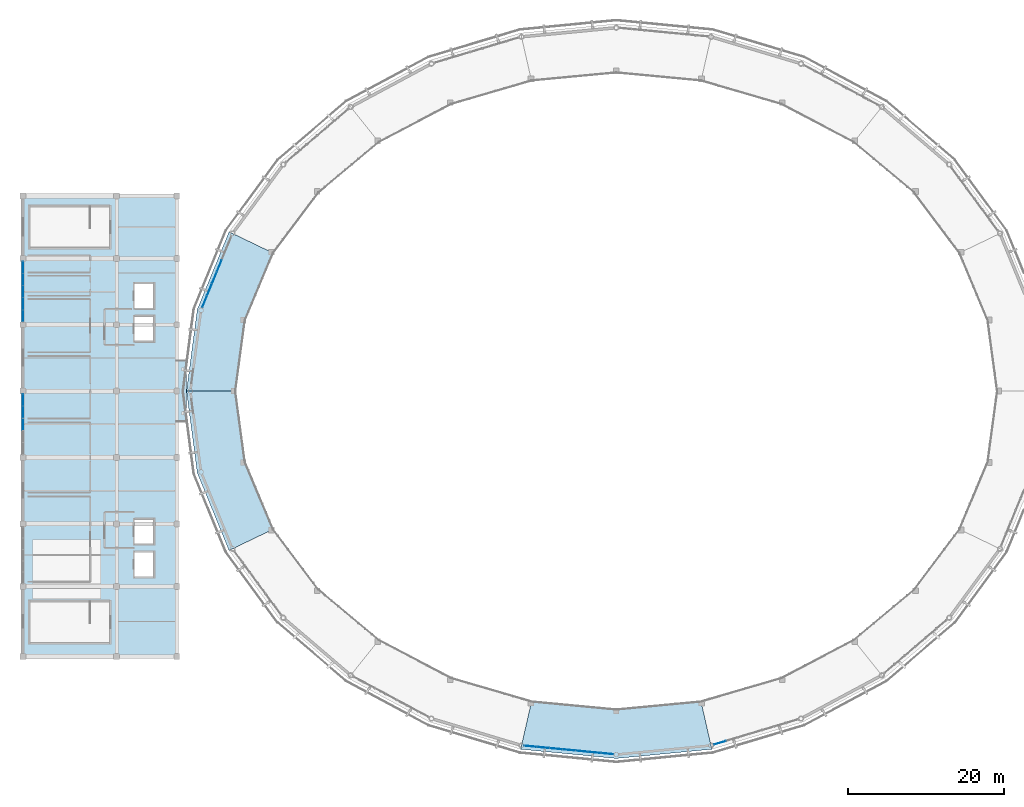
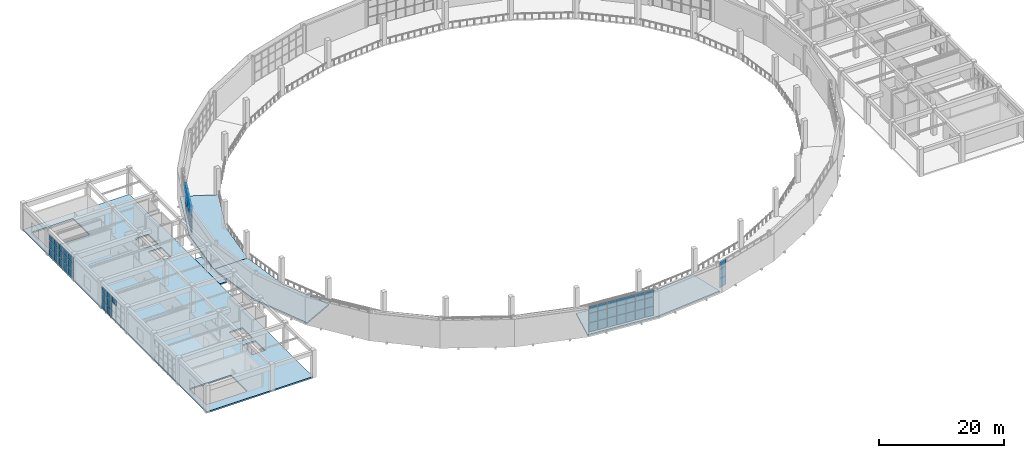
# One storey, part 25 of 40: 58 plates, 5 slabs, 5 elements without a shape of their own.
"""IFC4 building model written with IfcOpenShell, lengths in metres."""

from ifc_helpers import new_model, si_unit, direction, frame, origin, origin_2d, place, context, subcontext, project, spatial, polyline, rectangle, outline, extrude, material, layer, layer_set, type_object, element, aggregate, save


model = new_model("IFC4")

# Units and contexts
model_context = context("Model", 3, precision=1e-05, world=origin(), true_north=direction((0.0, 1.0)))
body_context = subcontext(model_context, "Body", "Model", "MODEL_VIEW")
ifc_project = project(units=[si_unit("LENGTHUNIT", "METRE"), si_unit("AREAUNIT", "SQUARE_METRE"), si_unit("VOLUMEUNIT", "CUBIC_METRE"), si_unit("PLANEANGLEUNIT", "RADIAN"), si_unit("MASSUNIT", "GRAM", prefix="KILO")], contexts=[model_context])

# Site, building, storey
site_placement = place(None, origin())
site = spatial("IfcSite", under=ifc_project, at=site_placement, CompositionType="ELEMENT")
building_placement = place(site_placement, origin())
building = spatial("IfcBuilding", under=site, at=building_placement, Name="Cuetzalor Civic Arena", CompositionType="ELEMENT")
storey_placement = place(building_placement, frame((0.0, 0.0, 26.39990234375)))
storey = spatial("IfcBuildingStorey", under=building, at=storey_placement, Name="L05", CompositionType="ELEMENT", Elevation=26.39990234375)

# Curtain wall, plates
ifc_material_1 = material(Name="Anodised dark bronze aluminium and low-E solar glass", Category="aluminium")
curtain_wall_type_1 = type_object("IfcCurtainWallType", Name="UnitisedCW_9850x5150", PredefinedType="USERDEFINED", material=ifc_material_1)
curtain_wall_1_placement = place(storey_placement, origin())
curtain_wall_1 = element("IfcCurtainWall", 1, at=curtain_wall_1_placement, inside=storey, type_object=curtain_wall_type_1, Name="Drum Triangle Foyer Curtain Wall L05-074", ObjectType="UNITISED CURTAIN WALL", PredefinedType="USERDEFINED")
ifc_material_2 = material(Name="Acoustic laminated solar control glass", Category="glass")
ifc_layer_1 = layer(ifc_material_2, 0.0439453125)
ifc_layer_set_1 = layer_set([ifc_layer_1], Name="Acoustic laminated solar control glass")
plate_type = type_object("IfcPlateType", Name="AcousticTripleGlazedPanel_44", PredefinedType="CURTAIN_PANEL", material=ifc_layer_set_1)
plate_1_placement = place(storey_placement, frame((-52.719482421875, 11.4873046875, 0.0703125), z_axis=(0.0, 0.0, 1.0), x_axis=(0.379391428583, 0.925236263836, 0.0)))
plate_1 = element("IfcPlate", 2, at=plate_1_placement, type_object=plate_type, Name="CW-23 panel 1.1", PredefinedType="CURTAIN_PANEL", context=body_context, shape_type="SweptSolid", body=[
    extrude(rectangle(XDim=1.540771484375, YDim=0.0439453125, at=origin_2d()), origin(), (0.0, 0.0, 1.0), 1.743896484375),
])
plate_2_placement = place(storey_placement, frame((-52.719482421875, 11.4873046875, 1.88427734375), z_axis=(0.0, 0.0, 1.0), x_axis=(0.379391428583, 0.925236263836, 0.0)))
plate_2 = element("IfcPlate", 3, at=plate_2_placement, type_object=plate_type, Name="CW-23 panel 1.2", PredefinedType="CURTAIN_PANEL", context=body_context, shape_type="SweptSolid", body=[
    extrude(rectangle(XDim=1.540771484375, YDim=0.0439453125, at=origin_2d()), origin(), (0.0, 0.0, 1.0), 1.779052734375),
])
plate_3_placement = place(storey_placement, frame((-52.719482421875, 11.4873046875, 3.733154296875), z_axis=(0.0, 0.0, 1.0), x_axis=(0.379391428583, 0.925236263836, 0.0)))
plate_3 = element("IfcPlate", 4, at=plate_3_placement, type_object=plate_type, Name="CW-23 panel 1.3", PredefinedType="CURTAIN_PANEL", context=body_context, shape_type="SweptSolid", body=[
    extrude(rectangle(XDim=1.540771484375, YDim=0.0439453125, at=origin_2d()), origin(), (0.0, 0.0, 1.0), 1.3330078125),
])
plate_4_placement = place(storey_placement, frame((-52.1015625, 12.993896484375, 0.0703125), z_axis=(0.0, 0.0, 1.0), x_axis=(0.379391428583, 0.925236263836, 0.0)))
plate_4 = element("IfcPlate", 5, at=plate_4_placement, type_object=plate_type, Name="CW-23 panel 2.1", PredefinedType="CURTAIN_PANEL", context=body_context, shape_type="SweptSolid", body=[
    extrude(rectangle(XDim=1.57568359375, YDim=0.0439453125, at=origin_2d()), origin(), (0.0, 0.0, 1.0), 1.743896484375),
])
plate_5_placement = place(storey_placement, frame((-52.1015625, 12.993896484375, 1.88427734375), z_axis=(0.0, 0.0, 1.0), x_axis=(0.379391428583, 0.925236263836, 0.0)))
plate_5 = element("IfcPlate", 6, at=plate_5_placement, type_object=plate_type, Name="CW-23 panel 2.2", PredefinedType="CURTAIN_PANEL", context=body_context, shape_type="SweptSolid", body=[
    extrude(rectangle(XDim=1.57568359375, YDim=0.0439453125, at=origin_2d()), origin(), (0.0, 0.0, 1.0), 1.779052734375),
])
plate_6_placement = place(storey_placement, frame((-52.1015625, 12.993896484375, 3.733154296875), z_axis=(0.0, 0.0, 1.0), x_axis=(0.379391428583, 0.925236263836, 0.0)))
plate_6 = element("IfcPlate", 7, at=plate_6_placement, type_object=plate_type, Name="CW-23 panel 2.3", PredefinedType="CURTAIN_PANEL", context=body_context, shape_type="SweptSolid", body=[
    extrude(rectangle(XDim=1.57568359375, YDim=0.0439453125, at=origin_2d()), origin(), (0.0, 0.0, 1.0), 1.3330078125),
])
plate_7_placement = place(storey_placement, frame((-51.477294921875, 14.516357421875, 0.0703125), z_axis=(0.0, 0.0, 1.0), x_axis=(0.379391428583, 0.925236263836, 0.0)))
plate_7 = element("IfcPlate", 8, at=plate_7_placement, type_object=plate_type, Name="CW-23 panel 3.1", PredefinedType="CURTAIN_PANEL", context=body_context, shape_type="SweptSolid", body=[
    extrude(rectangle(XDim=1.57568359375, YDim=0.0439453125, at=origin_2d()), origin(), (0.0, 0.0, 1.0), 1.743896484375),
])
plate_8_placement = place(storey_placement, frame((-51.477294921875, 14.516357421875, 1.88427734375), z_axis=(0.0, 0.0, 1.0), x_axis=(0.379391428583, 0.925236263836, 0.0)))
plate_8 = element("IfcPlate", 9, at=plate_8_placement, type_object=plate_type, Name="CW-23 panel 3.2", PredefinedType="CURTAIN_PANEL", context=body_context, shape_type="SweptSolid", body=[
    extrude(rectangle(XDim=1.57568359375, YDim=0.0439453125, at=origin_2d()), origin(), (0.0, 0.0, 1.0), 1.779052734375),
])
plate_9_placement = place(storey_placement, frame((-51.477294921875, 14.516357421875, 3.733154296875), z_axis=(0.0, 0.0, 1.0), x_axis=(0.379391428583, 0.925236263836, 0.0)))
plate_9 = element("IfcPlate", 10, at=plate_9_placement, type_object=plate_type, Name="CW-23 panel 3.3", PredefinedType="CURTAIN_PANEL", context=body_context, shape_type="SweptSolid", body=[
    extrude(rectangle(XDim=1.57568359375, YDim=0.0439453125, at=origin_2d()), origin(), (0.0, 0.0, 1.0), 1.3330078125),
])
plate_10_placement = place(storey_placement, frame((-50.85302734375, 16.0390625, 0.0703125), z_axis=(0.0, 0.0, 1.0), x_axis=(0.379391428583, 0.925236263836, 0.0)))
plate_10 = element("IfcPlate", 11, at=plate_10_placement, type_object=plate_type, Name="CW-23 panel 4.1", PredefinedType="CURTAIN_PANEL", context=body_context, shape_type="SweptSolid", body=[
    extrude(rectangle(XDim=1.57568359375, YDim=0.0439453125, at=origin_2d()), origin(), (0.0, 0.0, 1.0), 1.743896484375),
])
plate_11_placement = place(storey_placement, frame((-50.85302734375, 16.0390625, 1.88427734375), z_axis=(0.0, 0.0, 1.0), x_axis=(0.379391428583, 0.925236263836, 0.0)))
plate_11 = element("IfcPlate", 12, at=plate_11_placement, type_object=plate_type, Name="CW-23 panel 4.2", PredefinedType="CURTAIN_PANEL", context=body_context, shape_type="SweptSolid", body=[
    extrude(rectangle(XDim=1.57568359375, YDim=0.0439453125, at=origin_2d()), origin(), (0.0, 0.0, 1.0), 1.779052734375),
])
plate_12_placement = place(storey_placement, frame((-50.85302734375, 16.0390625, 3.733154296875), z_axis=(0.0, 0.0, 1.0), x_axis=(0.379391428583, 0.925236263836, 0.0)))
plate_12 = element("IfcPlate", 13, at=plate_12_placement, type_object=plate_type, Name="CW-23 panel 4.3", PredefinedType="CURTAIN_PANEL", context=body_context, shape_type="SweptSolid", body=[
    extrude(rectangle(XDim=1.57568359375, YDim=0.0439453125, at=origin_2d()), origin(), (0.0, 0.0, 1.0), 1.3330078125),
])
aggregate(curtain_wall_1, [plate_1, plate_2, plate_3, plate_4, plate_5, plate_6, plate_7, plate_8, plate_9, plate_10, plate_11, plate_12])

ifc_material_3 = material(Name="Anodised dark bronze aluminium and low-E solar glass", Category="aluminium")
curtain_wall_type_2 = type_object("IfcCurtainWallType", Name="UnitisedCW_11550x5150", PredefinedType="USERDEFINED", material=ifc_material_3)
curtain_wall_2_placement = place(storey_placement, origin())
curtain_wall_2 = element("IfcCurtainWall", 14, at=curtain_wall_2_placement, inside=storey, type_object=curtain_wall_type_2, Name="Drum Triangle Foyer Curtain Wall L05-077", ObjectType="UNITISED CURTAIN WALL", PredefinedType="USERDEFINED")
plate_13_placement = place(storey_placement, frame((-1.153076171875, -46.439208984375, 0.0703125), z_axis=(0.0, 0.0, 1.0), x_axis=(-0.995409139996, 0.095711253324, 0.0)))
plate_13 = element("IfcPlate", 15, at=plate_13_placement, type_object=plate_type, Name="CW-20 panel 1.1", PredefinedType="CURTAIN_PANEL", context=body_context, shape_type="SweptSolid", body=[
    extrude(rectangle(XDim=1.547119140625, YDim=0.0439453125, at=origin_2d()), origin(), (0.0, 0.0, 1.0), 1.743896484375),
])
plate_14_placement = place(storey_placement, frame((-1.153076171875, -46.439208984375, 1.88427734375), z_axis=(0.0, 0.0, 1.0), x_axis=(-0.995409139996, 0.095711253324, 0.0)))
plate_14 = element("IfcPlate", 16, at=plate_14_placement, type_object=plate_type, Name="CW-20 panel 1.2", PredefinedType="CURTAIN_PANEL", context=body_context, shape_type="SweptSolid", body=[
    extrude(rectangle(XDim=1.547119140625, YDim=0.0439453125, at=origin_2d()), origin(), (0.0, 0.0, 1.0), 1.779052734375),
])
plate_15_placement = place(storey_placement, frame((-1.153076171875, -46.439208984375, 3.733154296875), z_axis=(0.0, 0.0, 1.0), x_axis=(-0.995409139996, 0.095711253324, 0.0)))
plate_15 = element("IfcPlate", 17, at=plate_15_placement, type_object=plate_type, Name="CW-20 panel 1.3", PredefinedType="CURTAIN_PANEL", context=body_context, shape_type="SweptSolid", body=[
    extrude(rectangle(XDim=1.547119140625, YDim=0.0439453125, at=origin_2d()), origin(), (0.0, 0.0, 1.0), 1.3330078125),
])
plate_16_placement = place(storey_placement, frame((-2.780029296875, -46.28271484375, 0.0703125), z_axis=(0.0, 0.0, 1.0), x_axis=(-0.995409139996, 0.095711253324, 0.0)))
plate_16 = element("IfcPlate", 18, at=plate_16_placement, type_object=plate_type, Name="CW-20 panel 2.1", PredefinedType="CURTAIN_PANEL", context=body_context, shape_type="SweptSolid", body=[
    extrude(rectangle(XDim=1.58203125, YDim=0.0439453125, at=origin_2d()), origin(), (0.0, 0.0, 1.0), 1.743896484375),
])
plate_17_placement = place(storey_placement, frame((-2.780029296875, -46.28271484375, 1.88427734375), z_axis=(0.0, 0.0, 1.0), x_axis=(-0.995409139996, 0.095711253324, 0.0)))
plate_17 = element("IfcPlate", 19, at=plate_17_placement, type_object=plate_type, Name="CW-20 panel 2.2", PredefinedType="CURTAIN_PANEL", context=body_context, shape_type="SweptSolid", body=[
    extrude(rectangle(XDim=1.58203125, YDim=0.0439453125, at=origin_2d()), origin(), (0.0, 0.0, 1.0), 1.779052734375),
])
plate_18_placement = place(storey_placement, frame((-2.780029296875, -46.28271484375, 3.733154296875), z_axis=(0.0, 0.0, 1.0), x_axis=(-0.995409139996, 0.095711253324, 0.0)))
plate_18 = element("IfcPlate", 20, at=plate_18_placement, type_object=plate_type, Name="CW-20 panel 2.3", PredefinedType="CURTAIN_PANEL", context=body_context, shape_type="SweptSolid", body=[
    extrude(rectangle(XDim=1.58203125, YDim=0.0439453125, at=origin_2d()), origin(), (0.0, 0.0, 1.0), 1.3330078125),
])
plate_19_placement = place(storey_placement, frame((-4.4248046875, -46.12451171875, 0.0703125), z_axis=(0.0, 0.0, 1.0), x_axis=(-0.995409139996, 0.095711253324, 0.0)))
plate_19 = element("IfcPlate", 21, at=plate_19_placement, type_object=plate_type, Name="CW-20 panel 3.1", PredefinedType="CURTAIN_PANEL", context=body_context, shape_type="SweptSolid", body=[
    extrude(rectangle(XDim=1.58203125, YDim=0.0439453125, at=origin_2d()), origin(), (0.0, 0.0, 1.0), 1.743896484375),
])
plate_20_placement = place(storey_placement, frame((-4.4248046875, -46.12451171875, 1.88427734375), z_axis=(0.0, 0.0, 1.0), x_axis=(-0.995409139996, 0.095711253324, 0.0)))
plate_20 = element("IfcPlate", 22, at=plate_20_placement, type_object=plate_type, Name="CW-20 panel 3.2", PredefinedType="CURTAIN_PANEL", context=body_context, shape_type="SweptSolid", body=[
    extrude(rectangle(XDim=1.58203125, YDim=0.0439453125, at=origin_2d()), origin(), (0.0, 0.0, 1.0), 1.779052734375),
])
plate_21_placement = place(storey_placement, frame((-4.4248046875, -46.12451171875, 3.733154296875), z_axis=(0.0, 0.0, 1.0), x_axis=(-0.995409139996, 0.095711253324, 0.0)))
plate_21 = element("IfcPlate", 23, at=plate_21_placement, type_object=plate_type, Name="CW-20 panel 3.3", PredefinedType="CURTAIN_PANEL", context=body_context, shape_type="SweptSolid", body=[
    extrude(rectangle(XDim=1.58203125, YDim=0.0439453125, at=origin_2d()), origin(), (0.0, 0.0, 1.0), 1.3330078125),
])
plate_22_placement = place(storey_placement, frame((-6.0693359375, -45.966552734375, 0.0703125), z_axis=(0.0, 0.0, 1.0), x_axis=(-0.995409139996, 0.095711253324, 0.0)))
plate_22 = element("IfcPlate", 24, at=plate_22_placement, type_object=plate_type, Name="CW-20 panel 4.1", PredefinedType="CURTAIN_PANEL", context=body_context, shape_type="SweptSolid", body=[
    extrude(rectangle(XDim=1.58203125, YDim=0.0439453125, at=origin_2d()), origin(), (0.0, 0.0, 1.0), 1.743896484375),
])
plate_23_placement = place(storey_placement, frame((-6.0693359375, -45.966552734375, 1.88427734375), z_axis=(0.0, 0.0, 1.0), x_axis=(-0.995409139996, 0.095711253324, 0.0)))
plate_23 = element("IfcPlate", 25, at=plate_23_placement, type_object=plate_type, Name="CW-20 panel 4.2", PredefinedType="CURTAIN_PANEL", context=body_context, shape_type="SweptSolid", body=[
    extrude(rectangle(XDim=1.58203125, YDim=0.0439453125, at=origin_2d()), origin(), (0.0, 0.0, 1.0), 1.779052734375),
])
plate_24_placement = place(storey_placement, frame((-6.0693359375, -45.966552734375, 3.733154296875), z_axis=(0.0, 0.0, 1.0), x_axis=(-0.995409139996, 0.095711253324, 0.0)))
plate_24 = element("IfcPlate", 26, at=plate_24_placement, type_object=plate_type, Name="CW-20 panel 4.3", PredefinedType="CURTAIN_PANEL", context=body_context, shape_type="SweptSolid", body=[
    extrude(rectangle(XDim=1.58203125, YDim=0.0439453125, at=origin_2d()), origin(), (0.0, 0.0, 1.0), 1.3330078125),
])
plate_25_placement = place(storey_placement, frame((-7.7138671875, -45.808349609375, 0.0703125), z_axis=(0.0, 0.0, 1.0), x_axis=(-0.995409139996, 0.095711253324, 0.0)))
plate_25 = element("IfcPlate", 27, at=plate_25_placement, type_object=plate_type, Name="CW-20 panel 5.1", PredefinedType="CURTAIN_PANEL", context=body_context, shape_type="SweptSolid", body=[
    extrude(rectangle(XDim=1.58203125, YDim=0.0439453125, at=origin_2d()), origin(), (0.0, 0.0, 1.0), 1.743896484375),
])
plate_26_placement = place(storey_placement, frame((-7.7138671875, -45.808349609375, 1.88427734375), z_axis=(0.0, 0.0, 1.0), x_axis=(-0.995409139996, 0.095711253324, 0.0)))
plate_26 = element("IfcPlate", 28, at=plate_26_placement, type_object=plate_type, Name="CW-20 panel 5.2", PredefinedType="CURTAIN_PANEL", context=body_context, shape_type="SweptSolid", body=[
    extrude(rectangle(XDim=1.58203125, YDim=0.0439453125, at=origin_2d()), origin(), (0.0, 0.0, 1.0), 1.779052734375),
])
plate_27_placement = place(storey_placement, frame((-7.7138671875, -45.808349609375, 3.733154296875), z_axis=(0.0, 0.0, 1.0), x_axis=(-0.995409139996, 0.095711253324, 0.0)))
plate_27 = element("IfcPlate", 29, at=plate_27_placement, type_object=plate_type, Name="CW-20 panel 5.3", PredefinedType="CURTAIN_PANEL", context=body_context, shape_type="SweptSolid", body=[
    extrude(rectangle(XDim=1.58203125, YDim=0.0439453125, at=origin_2d()), origin(), (0.0, 0.0, 1.0), 1.3330078125),
])
plate_28_placement = place(storey_placement, frame((-9.3583984375, -45.650146484375, 0.0703125), z_axis=(0.0, 0.0, 1.0), x_axis=(-0.995409139996, 0.095711253324, 0.0)))
plate_28 = element("IfcPlate", 30, at=plate_28_placement, type_object=plate_type, Name="CW-20 panel 6.1", PredefinedType="CURTAIN_PANEL", context=body_context, shape_type="SweptSolid", body=[
    extrude(rectangle(XDim=1.58203125, YDim=0.0439453125, at=origin_2d()), origin(), (0.0, 0.0, 1.0), 1.743896484375),
])
plate_29_placement = place(storey_placement, frame((-9.3583984375, -45.650146484375, 1.88427734375), z_axis=(0.0, 0.0, 1.0), x_axis=(-0.995409139996, 0.095711253324, 0.0)))
plate_29 = element("IfcPlate", 31, at=plate_29_placement, type_object=plate_type, Name="CW-20 panel 6.2", PredefinedType="CURTAIN_PANEL", context=body_context, shape_type="SweptSolid", body=[
    extrude(rectangle(XDim=1.58203125, YDim=0.0439453125, at=origin_2d()), origin(), (0.0, 0.0, 1.0), 1.779052734375),
])
plate_30_placement = place(storey_placement, frame((-9.3583984375, -45.650146484375, 3.733154296875), z_axis=(0.0, 0.0, 1.0), x_axis=(-0.995409139996, 0.095711253324, 0.0)))
plate_30 = element("IfcPlate", 32, at=plate_30_placement, type_object=plate_type, Name="CW-20 panel 6.3", PredefinedType="CURTAIN_PANEL", context=body_context, shape_type="SweptSolid", body=[
    extrude(rectangle(XDim=1.58203125, YDim=0.0439453125, at=origin_2d()), origin(), (0.0, 0.0, 1.0), 1.3330078125),
])
plate_31_placement = place(storey_placement, frame((-10.985595703125, -45.49365234375, 0.0703125), z_axis=(0.0, 0.0, 1.0), x_axis=(-0.995409139996, 0.095711253324, 0.0)))
plate_31 = element("IfcPlate", 33, at=plate_31_placement, type_object=plate_type, Name="CW-20 panel 7.1", PredefinedType="CURTAIN_PANEL", context=body_context, shape_type="SweptSolid", body=[
    extrude(rectangle(XDim=1.547119140625, YDim=0.0439453125, at=origin_2d()), origin(), (0.0, 0.0, 1.0), 1.743896484375),
])
plate_32_placement = place(storey_placement, frame((-10.985595703125, -45.49365234375, 1.88427734375), z_axis=(0.0, 0.0, 1.0), x_axis=(-0.995409139996, 0.095711253324, 0.0)))
plate_32 = element("IfcPlate", 34, at=plate_32_placement, type_object=plate_type, Name="CW-20 panel 7.2", PredefinedType="CURTAIN_PANEL", context=body_context, shape_type="SweptSolid", body=[
    extrude(rectangle(XDim=1.547119140625, YDim=0.0439453125, at=origin_2d()), origin(), (0.0, 0.0, 1.0), 1.779052734375),
])
plate_33_placement = place(storey_placement, frame((-10.985595703125, -45.49365234375, 3.733154296875), z_axis=(0.0, 0.0, 1.0), x_axis=(-0.995409139996, 0.095711253324, 0.0)))
plate_33 = element("IfcPlate", 35, at=plate_33_placement, type_object=plate_type, Name="CW-20 panel 7.3", PredefinedType="CURTAIN_PANEL", context=body_context, shape_type="SweptSolid", body=[
    extrude(rectangle(XDim=1.547119140625, YDim=0.0439453125, at=origin_2d()), origin(), (0.0, 0.0, 1.0), 1.3330078125),
])
aggregate(curtain_wall_2, [plate_13, plate_14, plate_15, plate_16, plate_17, plate_18, plate_19, plate_20, plate_21, plate_22, plate_23, plate_24, plate_25, plate_26, plate_27, plate_28, plate_29, plate_30, plate_31, plate_32, plate_33])

ifc_material_4 = material(Name="Anodised dark bronze aluminium and low-E solar glass", Category="aluminium")
curtain_wall_type_3 = type_object("IfcCurtainWallType", Name="UnitisedCW_11300x5150", PredefinedType="USERDEFINED", material=ifc_material_4)
curtain_wall_3_placement = place(storey_placement, origin())
curtain_wall_3 = element("IfcCurtainWall", 36, at=curtain_wall_3_placement, inside=storey, type_object=curtain_wall_type_3, Name="Drum Triangle Foyer Curtain Wall L05-078", ObjectType="UNITISED CURTAIN WALL", PredefinedType="USERDEFINED")
plate_34_placement = place(storey_placement, frame((13.275634765625, -45.04345703125, 0.0703125), z_axis=(0.0, 0.0, 1.0), x_axis=(-0.958193690548, -0.286120344251, 0.0)))
plate_34 = element("IfcPlate", 37, at=plate_34_placement, type_object=plate_type, Name="CW-21 panel 7.1", PredefinedType="CURTAIN_PANEL", context=body_context, shape_type="SweptSolid", body=[
    extrude(rectangle(XDim=1.5107421875, YDim=0.0439453125, at=origin_2d()), origin(), (0.0, 0.0, 1.0), 1.743896484375),
])
plate_35_placement = place(storey_placement, frame((13.275634765625, -45.04345703125, 1.88427734375), z_axis=(0.0, 0.0, 1.0), x_axis=(-0.958193690548, -0.286120344251, 0.0)))
plate_35 = element("IfcPlate", 38, at=plate_35_placement, type_object=plate_type, Name="CW-21 panel 7.2", PredefinedType="CURTAIN_PANEL", context=body_context, shape_type="SweptSolid", body=[
    extrude(rectangle(XDim=1.5107421875, YDim=0.0439453125, at=origin_2d()), origin(), (0.0, 0.0, 1.0), 1.779052734375),
])
plate_36_placement = place(storey_placement, frame((13.275634765625, -45.04345703125, 3.733154296875), z_axis=(0.0, 0.0, 1.0), x_axis=(-0.958193690548, -0.286120344251, 0.0)))
plate_36 = element("IfcPlate", 39, at=plate_36_placement, type_object=plate_type, Name="CW-21 panel 7.3", PredefinedType="CURTAIN_PANEL", context=body_context, shape_type="SweptSolid", body=[
    extrude(rectangle(XDim=1.5107421875, YDim=0.0439453125, at=origin_2d()), origin(), (0.0, 0.0, 1.0), 1.3330078125),
])
aggregate(curtain_wall_3, [plate_34, plate_35, plate_36])

ifc_material_5 = material(Name="Anodised dark bronze aluminium and low-E solar glass", Category="aluminium")
curtain_wall_type_4 = type_object("IfcCurtainWallType", Name="UnitisedCW_7800x4200", PredefinedType="USERDEFINED", material=ifc_material_5)
curtain_wall_4_placement = place(storey_placement, origin())
curtain_wall_4 = element("IfcCurtainWall", 40, at=curtain_wall_4_placement, inside=storey, type_object=curtain_wall_type_4, Name="V4W Media Broadcast Curtain Wall L05-128", ObjectType="UNITISED CURTAIN WALL", PredefinedType="USERDEFINED")
plate_37_placement = place(storey_placement, frame((-76.0, -4.25, 3.070556640625), z_axis=(0.0, 0.0, 1.0), x_axis=(0.0, 1.0, 0.0)))
plate_37 = element("IfcPlate", 41, at=plate_37_placement, type_object=plate_type, Name="CW-50 panel 3.3", PredefinedType="CURTAIN_PANEL", context=body_context, shape_type="SweptSolid", body=[
    extrude(rectangle(XDim=1.4921875, YDim=0.0439453125, at=origin_2d()), origin(), (0.0, 0.0, 1.0), 1.08447265625),
])
plate_38_placement = place(storey_placement, frame((-76.0, -2.69287109375, 0.065185546875), z_axis=(0.0, 0.0, 1.0), x_axis=(0.0, 1.0, 0.0)))
plate_38 = element("IfcPlate", 42, at=plate_38_placement, type_object=plate_type, Name="CW-50 panel 4.1", PredefinedType="CURTAIN_PANEL", context=body_context, shape_type="SweptSolid", body=[
    extrude(rectangle(XDim=1.4921875, YDim=0.0439453125, at=origin_2d()), origin(), (0.0, 0.0, 1.0), 1.42138671875),
])
plate_39_placement = place(storey_placement, frame((-76.0, -2.69287109375, 1.551513671875), z_axis=(0.0, 0.0, 1.0), x_axis=(0.0, 1.0, 0.0)))
plate_39 = element("IfcPlate", 43, at=plate_39_placement, type_object=plate_type, Name="CW-50 panel 4.2", PredefinedType="CURTAIN_PANEL", context=body_context, shape_type="SweptSolid", body=[
    extrude(rectangle(XDim=1.4921875, YDim=0.0439453125, at=origin_2d()), origin(), (0.0, 0.0, 1.0), 1.4541015625),
])
plate_40_placement = place(storey_placement, frame((-76.0, -2.69287109375, 3.070556640625), z_axis=(0.0, 0.0, 1.0), x_axis=(0.0, 1.0, 0.0)))
plate_40 = element("IfcPlate", 44, at=plate_40_placement, type_object=plate_type, Name="CW-50 panel 4.3", PredefinedType="CURTAIN_PANEL", context=body_context, shape_type="SweptSolid", body=[
    extrude(rectangle(XDim=1.4921875, YDim=0.0439453125, at=origin_2d()), origin(), (0.0, 0.0, 1.0), 1.08447265625),
])
plate_41_placement = place(storey_placement, frame((-76.0, -1.15185546875, 0.065185546875), z_axis=(0.0, 0.0, 1.0), x_axis=(0.0, 1.0, 0.0)))
plate_41 = element("IfcPlate", 45, at=plate_41_placement, type_object=plate_type, Name="CW-50 panel 5.1", PredefinedType="CURTAIN_PANEL", context=body_context, shape_type="SweptSolid", body=[
    extrude(rectangle(XDim=1.459716796875, YDim=0.0439453125, at=origin_2d()), origin(), (0.0, 0.0, 1.0), 1.42138671875),
])
plate_42_placement = place(storey_placement, frame((-76.0, -1.15185546875, 1.551513671875), z_axis=(0.0, 0.0, 1.0), x_axis=(0.0, 1.0, 0.0)))
plate_42 = element("IfcPlate", 46, at=plate_42_placement, type_object=plate_type, Name="CW-50 panel 5.2", PredefinedType="CURTAIN_PANEL", context=body_context, shape_type="SweptSolid", body=[
    extrude(rectangle(XDim=1.459716796875, YDim=0.0439453125, at=origin_2d()), origin(), (0.0, 0.0, 1.0), 1.4541015625),
])
plate_43_placement = place(storey_placement, frame((-76.0, -1.15185546875, 3.070556640625), z_axis=(0.0, 0.0, 1.0), x_axis=(0.0, 1.0, 0.0)))
plate_43 = element("IfcPlate", 47, at=plate_43_placement, type_object=plate_type, Name="CW-50 panel 5.3", PredefinedType="CURTAIN_PANEL", context=body_context, shape_type="SweptSolid", body=[
    extrude(rectangle(XDim=1.459716796875, YDim=0.0439453125, at=origin_2d()), origin(), (0.0, 0.0, 1.0), 1.08447265625),
])
aggregate(curtain_wall_4, [plate_37, plate_38, plate_39, plate_40, plate_41, plate_42, plate_43])

curtain_wall_5_placement = place(storey_placement, origin())
curtain_wall_5 = element("IfcCurtainWall", 48, at=curtain_wall_5_placement, inside=storey, type_object=curtain_wall_type_4, Name="V4W Media Broadcast Curtain Wall L05-129", ObjectType="UNITISED CURTAIN WALL", PredefinedType="USERDEFINED")
plate_44_placement = place(storey_placement, frame((-76.0, 9.65185546875, 0.065185546875), z_axis=(0.0, 0.0, 1.0), x_axis=(0.0, 1.0, 0.0)))
plate_44 = element("IfcPlate", 49, at=plate_44_placement, type_object=plate_type, Name="CW-50 panel 1.1", PredefinedType="CURTAIN_PANEL", context=body_context, shape_type="SweptSolid", body=[
    extrude(rectangle(XDim=1.459716796875, YDim=0.0439453125, at=origin_2d()), origin(), (0.0, 0.0, 1.0), 1.42138671875),
])
plate_45_placement = place(storey_placement, frame((-76.0, 9.65185546875, 1.551513671875), z_axis=(0.0, 0.0, 1.0), x_axis=(0.0, 1.0, 0.0)))
plate_45 = element("IfcPlate", 50, at=plate_45_placement, type_object=plate_type, Name="CW-50 panel 1.2", PredefinedType="CURTAIN_PANEL", context=body_context, shape_type="SweptSolid", body=[
    extrude(rectangle(XDim=1.459716796875, YDim=0.0439453125, at=origin_2d()), origin(), (0.0, 0.0, 1.0), 1.4541015625),
])
plate_46_placement = place(storey_placement, frame((-76.0, 9.65185546875, 3.070556640625), z_axis=(0.0, 0.0, 1.0), x_axis=(0.0, 1.0, 0.0)))
plate_46 = element("IfcPlate", 51, at=plate_46_placement, type_object=plate_type, Name="CW-50 panel 1.3", PredefinedType="CURTAIN_PANEL", context=body_context, shape_type="SweptSolid", body=[
    extrude(rectangle(XDim=1.459716796875, YDim=0.0439453125, at=origin_2d()), origin(), (0.0, 0.0, 1.0), 1.08447265625),
])
plate_47_placement = place(storey_placement, frame((-76.0, 11.19287109375, 0.065185546875), z_axis=(0.0, 0.0, 1.0), x_axis=(0.0, 1.0, 0.0)))
plate_47 = element("IfcPlate", 52, at=plate_47_placement, type_object=plate_type, Name="CW-50 panel 2.1", PredefinedType="CURTAIN_PANEL", context=body_context, shape_type="SweptSolid", body=[
    extrude(rectangle(XDim=1.4921875, YDim=0.0439453125, at=origin_2d()), origin(), (0.0, 0.0, 1.0), 1.42138671875),
])
plate_48_placement = place(storey_placement, frame((-76.0, 11.19287109375, 1.551513671875), z_axis=(0.0, 0.0, 1.0), x_axis=(0.0, 1.0, 0.0)))
plate_48 = element("IfcPlate", 53, at=plate_48_placement, type_object=plate_type, Name="CW-50 panel 2.2", PredefinedType="CURTAIN_PANEL", context=body_context, shape_type="SweptSolid", body=[
    extrude(rectangle(XDim=1.4921875, YDim=0.0439453125, at=origin_2d()), origin(), (0.0, 0.0, 1.0), 1.4541015625),
])
plate_49_placement = place(storey_placement, frame((-76.0, 11.19287109375, 3.070556640625), z_axis=(0.0, 0.0, 1.0), x_axis=(0.0, 1.0, 0.0)))
plate_49 = element("IfcPlate", 54, at=plate_49_placement, type_object=plate_type, Name="CW-50 panel 2.3", PredefinedType="CURTAIN_PANEL", context=body_context, shape_type="SweptSolid", body=[
    extrude(rectangle(XDim=1.4921875, YDim=0.0439453125, at=origin_2d()), origin(), (0.0, 0.0, 1.0), 1.08447265625),
])
plate_50_placement = place(storey_placement, frame((-76.0, 12.75, 0.065185546875), z_axis=(0.0, 0.0, 1.0), x_axis=(0.0, 1.0, 0.0)))
plate_50 = element("IfcPlate", 55, at=plate_50_placement, type_object=plate_type, Name="CW-50 panel 3.1", PredefinedType="CURTAIN_PANEL", context=body_context, shape_type="SweptSolid", body=[
    extrude(rectangle(XDim=1.4921875, YDim=0.0439453125, at=origin_2d()), origin(), (0.0, 0.0, 1.0), 1.42138671875),
])
plate_51_placement = place(storey_placement, frame((-76.0, 12.75, 1.551513671875), z_axis=(0.0, 0.0, 1.0), x_axis=(0.0, 1.0, 0.0)))
plate_51 = element("IfcPlate", 56, at=plate_51_placement, type_object=plate_type, Name="CW-50 panel 3.2", PredefinedType="CURTAIN_PANEL", context=body_context, shape_type="SweptSolid", body=[
    extrude(rectangle(XDim=1.4921875, YDim=0.0439453125, at=origin_2d()), origin(), (0.0, 0.0, 1.0), 1.4541015625),
])
plate_52_placement = place(storey_placement, frame((-76.0, 12.75, 3.070556640625), z_axis=(0.0, 0.0, 1.0), x_axis=(0.0, 1.0, 0.0)))
plate_52 = element("IfcPlate", 57, at=plate_52_placement, type_object=plate_type, Name="CW-50 panel 3.3", PredefinedType="CURTAIN_PANEL", context=body_context, shape_type="SweptSolid", body=[
    extrude(rectangle(XDim=1.4921875, YDim=0.0439453125, at=origin_2d()), origin(), (0.0, 0.0, 1.0), 1.08447265625),
])
plate_53_placement = place(storey_placement, frame((-76.0, 14.30712890625, 0.065185546875), z_axis=(0.0, 0.0, 1.0), x_axis=(0.0, 1.0, 0.0)))
plate_53 = element("IfcPlate", 58, at=plate_53_placement, type_object=plate_type, Name="CW-50 panel 4.1", PredefinedType="CURTAIN_PANEL", context=body_context, shape_type="SweptSolid", body=[
    extrude(rectangle(XDim=1.4921875, YDim=0.0439453125, at=origin_2d()), origin(), (0.0, 0.0, 1.0), 1.42138671875),
])
plate_54_placement = place(storey_placement, frame((-76.0, 14.30712890625, 1.551513671875), z_axis=(0.0, 0.0, 1.0), x_axis=(0.0, 1.0, 0.0)))
plate_54 = element("IfcPlate", 59, at=plate_54_placement, type_object=plate_type, Name="CW-50 panel 4.2", PredefinedType="CURTAIN_PANEL", context=body_context, shape_type="SweptSolid", body=[
    extrude(rectangle(XDim=1.4921875, YDim=0.0439453125, at=origin_2d()), origin(), (0.0, 0.0, 1.0), 1.4541015625),
])
plate_55_placement = place(storey_placement, frame((-76.0, 14.30712890625, 3.070556640625), z_axis=(0.0, 0.0, 1.0), x_axis=(0.0, 1.0, 0.0)))
plate_55 = element("IfcPlate", 60, at=plate_55_placement, type_object=plate_type, Name="CW-50 panel 4.3", PredefinedType="CURTAIN_PANEL", context=body_context, shape_type="SweptSolid", body=[
    extrude(rectangle(XDim=1.4921875, YDim=0.0439453125, at=origin_2d()), origin(), (0.0, 0.0, 1.0), 1.08447265625),
])
plate_56_placement = place(storey_placement, frame((-76.0, 15.84814453125, 0.065185546875), z_axis=(0.0, 0.0, 1.0), x_axis=(0.0, 1.0, 0.0)))
plate_56 = element("IfcPlate", 61, at=plate_56_placement, type_object=plate_type, Name="CW-50 panel 5.1", PredefinedType="CURTAIN_PANEL", context=body_context, shape_type="SweptSolid", body=[
    extrude(rectangle(XDim=1.459716796875, YDim=0.0439453125, at=origin_2d()), origin(), (0.0, 0.0, 1.0), 1.42138671875),
])
plate_57_placement = place(storey_placement, frame((-76.0, 15.84814453125, 1.551513671875), z_axis=(0.0, 0.0, 1.0), x_axis=(0.0, 1.0, 0.0)))
plate_57 = element("IfcPlate", 62, at=plate_57_placement, type_object=plate_type, Name="CW-50 panel 5.2", PredefinedType="CURTAIN_PANEL", context=body_context, shape_type="SweptSolid", body=[
    extrude(rectangle(XDim=1.459716796875, YDim=0.0439453125, at=origin_2d()), origin(), (0.0, 0.0, 1.0), 1.4541015625),
])
plate_58_placement = place(storey_placement, frame((-76.0, 15.84814453125, 3.070556640625), z_axis=(0.0, 0.0, 1.0), x_axis=(0.0, 1.0, 0.0)))
plate_58 = element("IfcPlate", 63, at=plate_58_placement, type_object=plate_type, Name="CW-50 panel 5.3", PredefinedType="CURTAIN_PANEL", context=body_context, shape_type="SweptSolid", body=[
    extrude(rectangle(XDim=1.459716796875, YDim=0.0439453125, at=origin_2d()), origin(), (0.0, 0.0, 1.0), 1.08447265625),
])
aggregate(curtain_wall_5, [plate_44, plate_45, plate_46, plate_47, plate_48, plate_49, plate_50, plate_51, plate_52, plate_53, plate_54, plate_55, plate_56, plate_57, plate_58])

# Slabs
ifc_material_6 = material(Name="Concrete C40/50", Category="concrete")
ifc_layer_2 = layer(ifc_material_6, 0.260009765625)
ifc_layer_set_2 = layer_set([ifc_layer_2], Name="Concrete C40/50")
slab_type_1 = type_object("IfcSlabType", Name="BridgeDeckSlab_260", PredefinedType="FLOOR", material=ifc_layer_set_2)
slab_1_placement = place(storey_placement, frame((0.0, 0.0, -0.260009765625)))
element("IfcSlab", 64, at=slab_1_placement, inside=storey, type_object=slab_type_1, Name="Seismic Joint Circulation Bridge V4W L05", PredefinedType="FLOOR", context=body_context, shape_type="SweptSolid", body=[
    extrude(outline(polyline([(-56.320068359375, -4.0), (-55.030029296875, -4.0), (-55.030029296875, 4.0), (-56.320068359375, 4.0), (-56.320068359375, -4.0)])), origin(), (0.0, 0.0, 1.0), 0.260009765625),
])
ifc_material_7 = material(Name="Concrete C35/45", Category="concrete")
ifc_layer_3 = layer(ifc_material_7, 0.280029296875)
ifc_layer_set_3 = layer_set([ifc_layer_3], Name="Concrete C35/45")
slab_type_2 = type_object("IfcSlabType", Name="SuspendedFloorSlab_280", PredefinedType="FLOOR", material=ifc_layer_set_3)
slab_2_placement = place(storey_placement, frame((0.0, 0.0, -0.27978515625)))
element("IfcSlab", 65, at=slab_2_placement, inside=storey, type_object=slab_type_2, Name="Arena Concourse Sector Slab L05-07", PredefinedType="FLOOR", context=body_context, shape_type="SweptSolid", body=[
    extrude(outline(polyline([(-43.96728515625, 17.702392578125), (-47.576416015625, 9.078857421875), (-48.800048828125, 0.0), (-55.050048828125, 0.0), (-53.669921875, 10.469482421875), (-49.598388671875, 20.414306640625), (-43.96728515625, 17.702392578125)])), origin(), (0.0, 0.0, 1.0), 0.27978515625),
])
slab_3_placement = place(storey_placement, frame((0.0, 0.0, -0.27978515625)))
element("IfcSlab", 66, at=slab_3_placement, inside=storey, type_object=slab_type_2, Name="Arena Concourse Sector Slab L05-08", PredefinedType="FLOOR", context=body_context, shape_type="SweptSolid", body=[
    extrude(outline(polyline([(-48.800048828125, 0.0), (-47.576416015625, -9.078857421875), (-43.96728515625, -17.702392578125), (-49.598388671875, -20.414306640625), (-53.669921875, -10.469482421875), (-55.050048828125, 0.0), (-48.800048828125, 0.0)])), origin(), (0.0, 0.0, 1.0), 0.27978515625),
])
slab_4_placement = place(storey_placement, frame((0.0, 0.0, -0.27978515625)))
element("IfcSlab", 67, at=slab_4_placement, inside=storey, type_object=slab_type_2, Name="Arena Concourse Sector Slab L05-11", PredefinedType="FLOOR", context=body_context, shape_type="SweptSolid", body=[
    extrude(outline(polyline([(-10.85888671875, -39.777099609375), (0.0, -40.800048828125), (10.85888671875, -39.777099609375), (12.249755859375, -45.870361328125), (0.0, -47.050048828125), (-12.249755859375, -45.870361328125), (-10.85888671875, -39.777099609375)])), origin(), (0.0, 0.0, 1.0), 0.27978515625),
])
slab_5_placement = place(storey_placement, frame((0.0, 0.0, -0.27978515625)))
element("IfcSlab", 68, at=slab_5_placement, inside=storey, type_object=slab_type_2, Name="V4W Concourse and Suite Floor Slab L05", PredefinedType="FLOOR", context=body_context, shape_type="SweptSolid", body=[
    extrude(outline(polyline([(-76.0, -34.0), (-56.300048828125, -34.0), (-56.300048828125, 25.0), (-76.0, 25.0), (-76.0, -34.0)]), holes=[polyline([(-75.10009765625, -32.199951171875), (-67.5, -32.199951171875), (-67.5, -27.0), (-75.10009765625, -27.0), (-75.10009765625, -32.199951171875)]), polyline([(-75.10009765625, 18.39990234375), (-67.5, 18.39990234375), (-67.5, 23.60009765625), (-75.10009765625, 23.60009765625), (-75.10009765625, 18.39990234375)]), polyline([(-61.699951171875, -19.550048828125), (-59.300048828125, -19.550048828125), (-59.300048828125, -16.449951171875), (-61.699951171875, -16.449951171875), (-61.699951171875, -19.550048828125)]), polyline([(-61.699951171875, 6.449951171875), (-59.300048828125, 6.449951171875), (-59.300048828125, 9.550048828125), (-61.699951171875, 9.550048828125), (-61.699951171875, 6.449951171875)]), polyline([(-61.699951171875, -23.75), (-59.300048828125, -23.75), (-59.300048828125, -20.64990234375), (-61.699951171875, -20.64990234375), (-61.699951171875, -23.75)]), polyline([(-61.699951171875, 10.64990234375), (-59.300048828125, 10.64990234375), (-59.300048828125, 13.75), (-61.699951171875, 13.75), (-61.699951171875, 10.64990234375)])]), origin(), (0.0, 0.0, 1.0), 0.27978515625),
])

save(model, "model.ifc")
